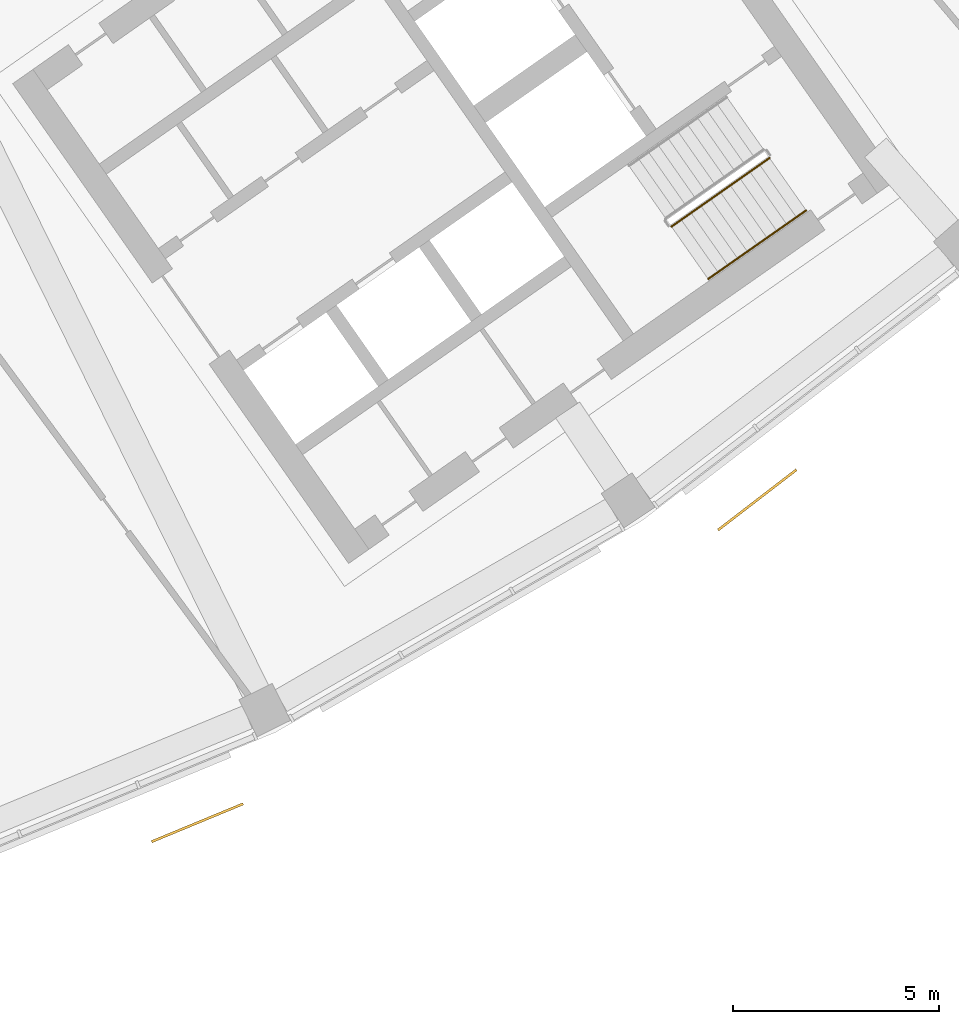
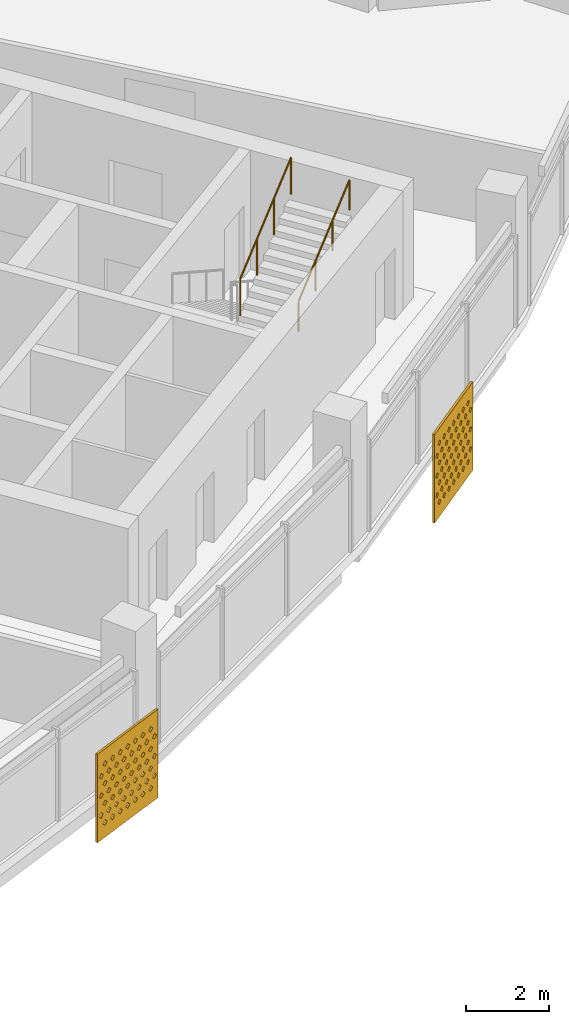
# One storey, part 27 of 28: 2 railings, 2 shading devices.
"""IFC4 building model written with IfcOpenShell, lengths in metres."""

from ifc_helpers import new_model, si_unit, direction, frame, origin, origin_2d, place, context, subcontext, project, spatial, polyline, circle, outline, extrude, material, material_profile, profile_set, type_object, element, save


model = new_model("IFC4")

# Units and contexts
model_context = context("Model", 3, precision=1e-05, world=origin(), true_north=direction((0.0, 1.0)))
body_context = subcontext(model_context, "Body", "Model", "MODEL_VIEW")
ifc_project = project(units=[si_unit("LENGTHUNIT", "METRE"), si_unit("AREAUNIT", "SQUARE_METRE"), si_unit("VOLUMEUNIT", "CUBIC_METRE"), si_unit("PLANEANGLEUNIT", "RADIAN"), si_unit("MASSUNIT", "GRAM", prefix="KILO")], contexts=[model_context])

# Site, building, storey
site_placement = place(None, origin())
site = spatial("IfcSite", under=ifc_project, at=site_placement, CompositionType="ELEMENT")
building_placement = place(site_placement, origin())
building = spatial("IfcBuilding", under=site, at=building_placement, Name="Qamariyya Broadcast Tower", CompositionType="ELEMENT")
storey_placement = place(building_placement, frame((0.0, 0.0, 269.5)))
storey = spatial("IfcBuildingStorey", under=building, at=storey_placement, Name="L65", CompositionType="ELEMENT", Elevation=269.5)

# Shading devices
ifc_material_1 = material(Name="Perforated glazed terracotta", Category="masonry")
ifc_material_profile = material_profile(ifc_material_1, outline(polyline([(-1.199951171875, -1.300048828125), (1.199951171875, -1.300048828125), (1.199951171875, 1.300048828125), (-1.199951171875, 1.300048828125), (-1.199951171875, -1.300048828125)]), holes=[polyline([(-0.81494140625, -0.86669921875), (-0.89990234375, -0.78173828125), (-0.985107421875, -0.86669921875), (-0.89990234375, -0.95166015625), (-0.81494140625, -0.86669921875)]), polyline([(-0.514892578125, -0.86669921875), (-0.60009765625, -0.78173828125), (-0.68505859375, -0.86669921875), (-0.60009765625, -0.95166015625), (-0.514892578125, -0.86669921875)]), polyline([(-0.215087890625, -0.86669921875), (-0.300048828125, -0.78173828125), (-0.385009765625, -0.86669921875), (-0.300048828125, -0.95166015625), (-0.215087890625, -0.86669921875)]), polyline([(0.0849609375, -0.86669921875), (0.0, -0.78173828125), (-0.0849609375, -0.86669921875), (0.0, -0.95166015625), (0.0849609375, -0.86669921875)]), polyline([(0.385009765625, -0.86669921875), (0.300048828125, -0.78173828125), (0.215087890625, -0.86669921875), (0.300048828125, -0.95166015625), (0.385009765625, -0.86669921875)]), polyline([(0.68505859375, -0.86669921875), (0.60009765625, -0.78173828125), (0.514892578125, -0.86669921875), (0.60009765625, -0.95166015625), (0.68505859375, -0.86669921875)]), polyline([(0.985107421875, -0.86669921875), (0.89990234375, -0.78173828125), (0.81494140625, -0.86669921875), (0.89990234375, -0.95166015625), (0.985107421875, -0.86669921875)]), polyline([(-0.965087890625, -0.577880859375), (-1.050048828125, -0.49267578125), (-1.135009765625, -0.577880859375), (-1.050048828125, -0.662841796875), (-0.965087890625, -0.577880859375)]), polyline([(-0.6650390625, -0.577880859375), (-0.75, -0.49267578125), (-0.8349609375, -0.577880859375), (-0.75, -0.662841796875), (-0.6650390625, -0.577880859375)]), polyline([(-0.364990234375, -0.577880859375), (-0.449951171875, -0.49267578125), (-0.534912109375, -0.577880859375), (-0.449951171875, -0.662841796875), (-0.364990234375, -0.577880859375)]), polyline([(-0.06494140625, -0.577880859375), (-0.14990234375, -0.49267578125), (-0.235107421875, -0.577880859375), (-0.14990234375, -0.662841796875), (-0.06494140625, -0.577880859375)]), polyline([(0.235107421875, -0.577880859375), (0.14990234375, -0.49267578125), (0.06494140625, -0.577880859375), (0.14990234375, -0.662841796875), (0.235107421875, -0.577880859375)]), polyline([(0.534912109375, -0.577880859375), (0.449951171875, -0.49267578125), (0.364990234375, -0.577880859375), (0.449951171875, -0.662841796875), (0.534912109375, -0.577880859375)]), polyline([(0.8349609375, -0.577880859375), (0.75, -0.49267578125), (0.6650390625, -0.577880859375), (0.75, -0.662841796875), (0.8349609375, -0.577880859375)]), polyline([(1.135009765625, -0.577880859375), (1.050048828125, -0.49267578125), (0.965087890625, -0.577880859375), (1.050048828125, -0.662841796875), (1.135009765625, -0.577880859375)]), polyline([(-0.81494140625, -0.288818359375), (-0.89990234375, -0.203857421875), (-0.985107421875, -0.288818359375), (-0.89990234375, -0.373779296875), (-0.81494140625, -0.288818359375)]), polyline([(-0.514892578125, -0.288818359375), (-0.60009765625, -0.203857421875), (-0.68505859375, -0.288818359375), (-0.60009765625, -0.373779296875), (-0.514892578125, -0.288818359375)]), polyline([(-0.215087890625, -0.288818359375), (-0.300048828125, -0.203857421875), (-0.385009765625, -0.288818359375), (-0.300048828125, -0.373779296875), (-0.215087890625, -0.288818359375)]), polyline([(0.0849609375, -0.288818359375), (0.0, -0.203857421875), (-0.0849609375, -0.288818359375), (0.0, -0.373779296875), (0.0849609375, -0.288818359375)]), polyline([(0.385009765625, -0.288818359375), (0.300048828125, -0.203857421875), (0.215087890625, -0.288818359375), (0.300048828125, -0.373779296875), (0.385009765625, -0.288818359375)]), polyline([(0.68505859375, -0.288818359375), (0.60009765625, -0.203857421875), (0.514892578125, -0.288818359375), (0.60009765625, -0.373779296875), (0.68505859375, -0.288818359375)]), polyline([(0.985107421875, -0.288818359375), (0.89990234375, -0.203857421875), (0.81494140625, -0.288818359375), (0.89990234375, -0.373779296875), (0.985107421875, -0.288818359375)]), polyline([(-0.965087890625, 0.0), (-1.050048828125, 0.0849609375), (-1.135009765625, 0.0), (-1.050048828125, -0.0849609375), (-0.965087890625, 0.0)]), polyline([(-0.6650390625, 0.0), (-0.75, 0.0849609375), (-0.8349609375, 0.0), (-0.75, -0.0849609375), (-0.6650390625, 0.0)]), polyline([(-0.364990234375, 0.0), (-0.449951171875, 0.0849609375), (-0.534912109375, 0.0), (-0.449951171875, -0.0849609375), (-0.364990234375, 0.0)]), polyline([(-0.06494140625, 0.0), (-0.14990234375, 0.0849609375), (-0.235107421875, 0.0), (-0.14990234375, -0.0849609375), (-0.06494140625, 0.0)]), polyline([(0.235107421875, 0.0), (0.14990234375, 0.0849609375), (0.06494140625, 0.0), (0.14990234375, -0.0849609375), (0.235107421875, 0.0)]), polyline([(0.534912109375, 0.0), (0.449951171875, 0.0849609375), (0.364990234375, 0.0), (0.449951171875, -0.0849609375), (0.534912109375, 0.0)]), polyline([(0.8349609375, 0.0), (0.75, 0.0849609375), (0.6650390625, 0.0), (0.75, -0.0849609375), (0.8349609375, 0.0)]), polyline([(1.135009765625, 0.0), (1.050048828125, 0.0849609375), (0.965087890625, 0.0), (1.050048828125, -0.0849609375), (1.135009765625, 0.0)]), polyline([(-0.81494140625, 0.288818359375), (-0.89990234375, 0.373779296875), (-0.985107421875, 0.288818359375), (-0.89990234375, 0.203857421875), (-0.81494140625, 0.288818359375)]), polyline([(-0.514892578125, 0.288818359375), (-0.60009765625, 0.373779296875), (-0.68505859375, 0.288818359375), (-0.60009765625, 0.203857421875), (-0.514892578125, 0.288818359375)]), polyline([(-0.215087890625, 0.288818359375), (-0.300048828125, 0.373779296875), (-0.385009765625, 0.288818359375), (-0.300048828125, 0.203857421875), (-0.215087890625, 0.288818359375)]), polyline([(0.0849609375, 0.288818359375), (0.0, 0.373779296875), (-0.0849609375, 0.288818359375), (0.0, 0.203857421875), (0.0849609375, 0.288818359375)]), polyline([(0.385009765625, 0.288818359375), (0.300048828125, 0.373779296875), (0.215087890625, 0.288818359375), (0.300048828125, 0.203857421875), (0.385009765625, 0.288818359375)]), polyline([(0.68505859375, 0.288818359375), (0.60009765625, 0.373779296875), (0.514892578125, 0.288818359375), (0.60009765625, 0.203857421875), (0.68505859375, 0.288818359375)]), polyline([(0.985107421875, 0.288818359375), (0.89990234375, 0.373779296875), (0.81494140625, 0.288818359375), (0.89990234375, 0.203857421875), (0.985107421875, 0.288818359375)]), polyline([(-0.965087890625, 0.577880859375), (-1.050048828125, 0.662841796875), (-1.135009765625, 0.577880859375), (-1.050048828125, 0.49267578125), (-0.965087890625, 0.577880859375)]), polyline([(-0.6650390625, 0.577880859375), (-0.75, 0.662841796875), (-0.8349609375, 0.577880859375), (-0.75, 0.49267578125), (-0.6650390625, 0.577880859375)]), polyline([(-0.364990234375, 0.577880859375), (-0.449951171875, 0.662841796875), (-0.534912109375, 0.577880859375), (-0.449951171875, 0.49267578125), (-0.364990234375, 0.577880859375)]), polyline([(-0.06494140625, 0.577880859375), (-0.14990234375, 0.662841796875), (-0.235107421875, 0.577880859375), (-0.14990234375, 0.49267578125), (-0.06494140625, 0.577880859375)]), polyline([(0.235107421875, 0.577880859375), (0.14990234375, 0.662841796875), (0.06494140625, 0.577880859375), (0.14990234375, 0.49267578125), (0.235107421875, 0.577880859375)]), polyline([(0.534912109375, 0.577880859375), (0.449951171875, 0.662841796875), (0.364990234375, 0.577880859375), (0.449951171875, 0.49267578125), (0.534912109375, 0.577880859375)]), polyline([(0.8349609375, 0.577880859375), (0.75, 0.662841796875), (0.6650390625, 0.577880859375), (0.75, 0.49267578125), (0.8349609375, 0.577880859375)]), polyline([(1.135009765625, 0.577880859375), (1.050048828125, 0.662841796875), (0.965087890625, 0.577880859375), (1.050048828125, 0.49267578125), (1.135009765625, 0.577880859375)]), polyline([(-0.81494140625, 0.86669921875), (-0.89990234375, 0.95166015625), (-0.985107421875, 0.86669921875), (-0.89990234375, 0.78173828125), (-0.81494140625, 0.86669921875)]), polyline([(-0.514892578125, 0.86669921875), (-0.60009765625, 0.95166015625), (-0.68505859375, 0.86669921875), (-0.60009765625, 0.78173828125), (-0.514892578125, 0.86669921875)]), polyline([(-0.215087890625, 0.86669921875), (-0.300048828125, 0.95166015625), (-0.385009765625, 0.86669921875), (-0.300048828125, 0.78173828125), (-0.215087890625, 0.86669921875)]), polyline([(0.0849609375, 0.86669921875), (0.0, 0.95166015625), (-0.0849609375, 0.86669921875), (0.0, 0.78173828125), (0.0849609375, 0.86669921875)]), polyline([(0.385009765625, 0.86669921875), (0.300048828125, 0.95166015625), (0.215087890625, 0.86669921875), (0.300048828125, 0.78173828125), (0.385009765625, 0.86669921875)]), polyline([(0.68505859375, 0.86669921875), (0.60009765625, 0.95166015625), (0.514892578125, 0.86669921875), (0.60009765625, 0.78173828125), (0.68505859375, 0.86669921875)]), polyline([(0.985107421875, 0.86669921875), (0.89990234375, 0.95166015625), (0.81494140625, 0.86669921875), (0.89990234375, 0.78173828125), (0.985107421875, 0.86669921875)])]))
ifc_profile_set = profile_set([ifc_material_profile], Name="Perforated glazed terracotta")
shading_device_type = type_object("IfcShadingDeviceType", Name="Perforated terracotta screen 2400 x 2600", PredefinedType="USERDEFINED", material=ifc_profile_set)
shading_device_1_placement = place(storey_placement, frame((32.743408203125, -72.435791015625, 1.35009765625), z_axis=(0.382591441855, -0.923917630863, 0.0), x_axis=(0.923917630863, 0.382591441855, 0.0)))
element("IfcShadingDevice", 1, at=shading_device_1_placement, inside=storey, type_object=shading_device_type, Name="e-scr-L65-10-2", ObjectType="SCREEN", PredefinedType="USERDEFINED", context=body_context, shape_type="SweptSolid", body=[
    extrude(outline(polyline([(-1.199951171875, -1.300048828125), (1.199951171875, -1.300048828125), (1.199951171875, 1.300048828125), (-1.199951171875, 1.300048828125), (-1.199951171875, -1.300048828125)]), holes=[polyline([(-0.81494140625, -0.86669921875), (-0.89990234375, -0.78173828125), (-0.985107421875, -0.86669921875), (-0.89990234375, -0.95166015625), (-0.81494140625, -0.86669921875)]), polyline([(-0.514892578125, -0.86669921875), (-0.60009765625, -0.78173828125), (-0.68505859375, -0.86669921875), (-0.60009765625, -0.95166015625), (-0.514892578125, -0.86669921875)]), polyline([(-0.215087890625, -0.86669921875), (-0.300048828125, -0.78173828125), (-0.385009765625, -0.86669921875), (-0.300048828125, -0.95166015625), (-0.215087890625, -0.86669921875)]), polyline([(0.0849609375, -0.86669921875), (0.0, -0.78173828125), (-0.0849609375, -0.86669921875), (0.0, -0.95166015625), (0.0849609375, -0.86669921875)]), polyline([(0.385009765625, -0.86669921875), (0.300048828125, -0.78173828125), (0.215087890625, -0.86669921875), (0.300048828125, -0.95166015625), (0.385009765625, -0.86669921875)]), polyline([(0.68505859375, -0.86669921875), (0.60009765625, -0.78173828125), (0.514892578125, -0.86669921875), (0.60009765625, -0.95166015625), (0.68505859375, -0.86669921875)]), polyline([(0.985107421875, -0.86669921875), (0.89990234375, -0.78173828125), (0.81494140625, -0.86669921875), (0.89990234375, -0.95166015625), (0.985107421875, -0.86669921875)]), polyline([(-0.965087890625, -0.577880859375), (-1.050048828125, -0.49267578125), (-1.135009765625, -0.577880859375), (-1.050048828125, -0.662841796875), (-0.965087890625, -0.577880859375)]), polyline([(-0.6650390625, -0.577880859375), (-0.75, -0.49267578125), (-0.8349609375, -0.577880859375), (-0.75, -0.662841796875), (-0.6650390625, -0.577880859375)]), polyline([(-0.364990234375, -0.577880859375), (-0.449951171875, -0.49267578125), (-0.534912109375, -0.577880859375), (-0.449951171875, -0.662841796875), (-0.364990234375, -0.577880859375)]), polyline([(-0.06494140625, -0.577880859375), (-0.14990234375, -0.49267578125), (-0.235107421875, -0.577880859375), (-0.14990234375, -0.662841796875), (-0.06494140625, -0.577880859375)]), polyline([(0.235107421875, -0.577880859375), (0.14990234375, -0.49267578125), (0.06494140625, -0.577880859375), (0.14990234375, -0.662841796875), (0.235107421875, -0.577880859375)]), polyline([(0.534912109375, -0.577880859375), (0.449951171875, -0.49267578125), (0.364990234375, -0.577880859375), (0.449951171875, -0.662841796875), (0.534912109375, -0.577880859375)]), polyline([(0.8349609375, -0.577880859375), (0.75, -0.49267578125), (0.6650390625, -0.577880859375), (0.75, -0.662841796875), (0.8349609375, -0.577880859375)]), polyline([(1.135009765625, -0.577880859375), (1.050048828125, -0.49267578125), (0.965087890625, -0.577880859375), (1.050048828125, -0.662841796875), (1.135009765625, -0.577880859375)]), polyline([(-0.81494140625, -0.288818359375), (-0.89990234375, -0.203857421875), (-0.985107421875, -0.288818359375), (-0.89990234375, -0.373779296875), (-0.81494140625, -0.288818359375)]), polyline([(-0.514892578125, -0.288818359375), (-0.60009765625, -0.203857421875), (-0.68505859375, -0.288818359375), (-0.60009765625, -0.373779296875), (-0.514892578125, -0.288818359375)]), polyline([(-0.215087890625, -0.288818359375), (-0.300048828125, -0.203857421875), (-0.385009765625, -0.288818359375), (-0.300048828125, -0.373779296875), (-0.215087890625, -0.288818359375)]), polyline([(0.0849609375, -0.288818359375), (0.0, -0.203857421875), (-0.0849609375, -0.288818359375), (0.0, -0.373779296875), (0.0849609375, -0.288818359375)]), polyline([(0.385009765625, -0.288818359375), (0.300048828125, -0.203857421875), (0.215087890625, -0.288818359375), (0.300048828125, -0.373779296875), (0.385009765625, -0.288818359375)]), polyline([(0.68505859375, -0.288818359375), (0.60009765625, -0.203857421875), (0.514892578125, -0.288818359375), (0.60009765625, -0.373779296875), (0.68505859375, -0.288818359375)]), polyline([(0.985107421875, -0.288818359375), (0.89990234375, -0.203857421875), (0.81494140625, -0.288818359375), (0.89990234375, -0.373779296875), (0.985107421875, -0.288818359375)]), polyline([(-0.965087890625, 0.0), (-1.050048828125, 0.0849609375), (-1.135009765625, 0.0), (-1.050048828125, -0.0849609375), (-0.965087890625, 0.0)]), polyline([(-0.6650390625, 0.0), (-0.75, 0.0849609375), (-0.8349609375, 0.0), (-0.75, -0.0849609375), (-0.6650390625, 0.0)]), polyline([(-0.364990234375, 0.0), (-0.449951171875, 0.0849609375), (-0.534912109375, 0.0), (-0.449951171875, -0.0849609375), (-0.364990234375, 0.0)]), polyline([(-0.06494140625, 0.0), (-0.14990234375, 0.0849609375), (-0.235107421875, 0.0), (-0.14990234375, -0.0849609375), (-0.06494140625, 0.0)]), polyline([(0.235107421875, 0.0), (0.14990234375, 0.0849609375), (0.06494140625, 0.0), (0.14990234375, -0.0849609375), (0.235107421875, 0.0)]), polyline([(0.534912109375, 0.0), (0.449951171875, 0.0849609375), (0.364990234375, 0.0), (0.449951171875, -0.0849609375), (0.534912109375, 0.0)]), polyline([(0.8349609375, 0.0), (0.75, 0.0849609375), (0.6650390625, 0.0), (0.75, -0.0849609375), (0.8349609375, 0.0)]), polyline([(1.135009765625, 0.0), (1.050048828125, 0.0849609375), (0.965087890625, 0.0), (1.050048828125, -0.0849609375), (1.135009765625, 0.0)]), polyline([(-0.81494140625, 0.288818359375), (-0.89990234375, 0.373779296875), (-0.985107421875, 0.288818359375), (-0.89990234375, 0.203857421875), (-0.81494140625, 0.288818359375)]), polyline([(-0.514892578125, 0.288818359375), (-0.60009765625, 0.373779296875), (-0.68505859375, 0.288818359375), (-0.60009765625, 0.203857421875), (-0.514892578125, 0.288818359375)]), polyline([(-0.215087890625, 0.288818359375), (-0.300048828125, 0.373779296875), (-0.385009765625, 0.288818359375), (-0.300048828125, 0.203857421875), (-0.215087890625, 0.288818359375)]), polyline([(0.0849609375, 0.288818359375), (0.0, 0.373779296875), (-0.0849609375, 0.288818359375), (0.0, 0.203857421875), (0.0849609375, 0.288818359375)]), polyline([(0.385009765625, 0.288818359375), (0.300048828125, 0.373779296875), (0.215087890625, 0.288818359375), (0.300048828125, 0.203857421875), (0.385009765625, 0.288818359375)]), polyline([(0.68505859375, 0.288818359375), (0.60009765625, 0.373779296875), (0.514892578125, 0.288818359375), (0.60009765625, 0.203857421875), (0.68505859375, 0.288818359375)]), polyline([(0.985107421875, 0.288818359375), (0.89990234375, 0.373779296875), (0.81494140625, 0.288818359375), (0.89990234375, 0.203857421875), (0.985107421875, 0.288818359375)]), polyline([(-0.965087890625, 0.577880859375), (-1.050048828125, 0.662841796875), (-1.135009765625, 0.577880859375), (-1.050048828125, 0.49267578125), (-0.965087890625, 0.577880859375)]), polyline([(-0.6650390625, 0.577880859375), (-0.75, 0.662841796875), (-0.8349609375, 0.577880859375), (-0.75, 0.49267578125), (-0.6650390625, 0.577880859375)]), polyline([(-0.364990234375, 0.577880859375), (-0.449951171875, 0.662841796875), (-0.534912109375, 0.577880859375), (-0.449951171875, 0.49267578125), (-0.364990234375, 0.577880859375)]), polyline([(-0.06494140625, 0.577880859375), (-0.14990234375, 0.662841796875), (-0.235107421875, 0.577880859375), (-0.14990234375, 0.49267578125), (-0.06494140625, 0.577880859375)]), polyline([(0.235107421875, 0.577880859375), (0.14990234375, 0.662841796875), (0.06494140625, 0.577880859375), (0.14990234375, 0.49267578125), (0.235107421875, 0.577880859375)]), polyline([(0.534912109375, 0.577880859375), (0.449951171875, 0.662841796875), (0.364990234375, 0.577880859375), (0.449951171875, 0.49267578125), (0.534912109375, 0.577880859375)]), polyline([(0.8349609375, 0.577880859375), (0.75, 0.662841796875), (0.6650390625, 0.577880859375), (0.75, 0.49267578125), (0.8349609375, 0.577880859375)]), polyline([(1.135009765625, 0.577880859375), (1.050048828125, 0.662841796875), (0.965087890625, 0.577880859375), (1.050048828125, 0.49267578125), (1.135009765625, 0.577880859375)]), polyline([(-0.81494140625, 0.86669921875), (-0.89990234375, 0.95166015625), (-0.985107421875, 0.86669921875), (-0.89990234375, 0.78173828125), (-0.81494140625, 0.86669921875)]), polyline([(-0.514892578125, 0.86669921875), (-0.60009765625, 0.95166015625), (-0.68505859375, 0.86669921875), (-0.60009765625, 0.78173828125), (-0.514892578125, 0.86669921875)]), polyline([(-0.215087890625, 0.86669921875), (-0.300048828125, 0.95166015625), (-0.385009765625, 0.86669921875), (-0.300048828125, 0.78173828125), (-0.215087890625, 0.86669921875)]), polyline([(0.0849609375, 0.86669921875), (0.0, 0.95166015625), (-0.0849609375, 0.86669921875), (0.0, 0.78173828125), (0.0849609375, 0.86669921875)]), polyline([(0.385009765625, 0.86669921875), (0.300048828125, 0.95166015625), (0.215087890625, 0.86669921875), (0.300048828125, 0.78173828125), (0.385009765625, 0.86669921875)]), polyline([(0.68505859375, 0.86669921875), (0.60009765625, 0.95166015625), (0.514892578125, 0.86669921875), (0.60009765625, 0.78173828125), (0.68505859375, 0.86669921875)]), polyline([(0.985107421875, 0.86669921875), (0.89990234375, 0.95166015625), (0.81494140625, 0.86669921875), (0.89990234375, 0.78173828125), (0.985107421875, 0.86669921875)])]), origin(), (0.0, 0.0, 1.0), 0.06005859375),
])
shading_device_2_placement = place(storey_placement, frame((46.31005859375, -64.6123046875, 1.35009765625), z_axis=(0.60971076085, -0.792623989105, 0.0), x_axis=(0.792623989105, 0.60971076085, 0.0)))
element("IfcShadingDevice", 2, at=shading_device_2_placement, inside=storey, type_object=shading_device_type, Name="e-scr-L65-12-0", ObjectType="SCREEN", PredefinedType="USERDEFINED", context=body_context, shape_type="SweptSolid", body=[
    extrude(outline(polyline([(-1.199951171875, -1.300048828125), (1.199951171875, -1.300048828125), (1.199951171875, 1.300048828125), (-1.199951171875, 1.300048828125), (-1.199951171875, -1.300048828125)]), holes=[polyline([(-0.81494140625, -0.86669921875), (-0.89990234375, -0.78173828125), (-0.985107421875, -0.86669921875), (-0.89990234375, -0.95166015625), (-0.81494140625, -0.86669921875)]), polyline([(-0.514892578125, -0.86669921875), (-0.60009765625, -0.78173828125), (-0.68505859375, -0.86669921875), (-0.60009765625, -0.95166015625), (-0.514892578125, -0.86669921875)]), polyline([(-0.215087890625, -0.86669921875), (-0.300048828125, -0.78173828125), (-0.385009765625, -0.86669921875), (-0.300048828125, -0.95166015625), (-0.215087890625, -0.86669921875)]), polyline([(0.0849609375, -0.86669921875), (0.0, -0.78173828125), (-0.0849609375, -0.86669921875), (0.0, -0.95166015625), (0.0849609375, -0.86669921875)]), polyline([(0.385009765625, -0.86669921875), (0.300048828125, -0.78173828125), (0.215087890625, -0.86669921875), (0.300048828125, -0.95166015625), (0.385009765625, -0.86669921875)]), polyline([(0.68505859375, -0.86669921875), (0.60009765625, -0.78173828125), (0.514892578125, -0.86669921875), (0.60009765625, -0.95166015625), (0.68505859375, -0.86669921875)]), polyline([(0.985107421875, -0.86669921875), (0.89990234375, -0.78173828125), (0.81494140625, -0.86669921875), (0.89990234375, -0.95166015625), (0.985107421875, -0.86669921875)]), polyline([(-0.965087890625, -0.577880859375), (-1.050048828125, -0.49267578125), (-1.135009765625, -0.577880859375), (-1.050048828125, -0.662841796875), (-0.965087890625, -0.577880859375)]), polyline([(-0.6650390625, -0.577880859375), (-0.75, -0.49267578125), (-0.8349609375, -0.577880859375), (-0.75, -0.662841796875), (-0.6650390625, -0.577880859375)]), polyline([(-0.364990234375, -0.577880859375), (-0.449951171875, -0.49267578125), (-0.534912109375, -0.577880859375), (-0.449951171875, -0.662841796875), (-0.364990234375, -0.577880859375)]), polyline([(-0.06494140625, -0.577880859375), (-0.14990234375, -0.49267578125), (-0.235107421875, -0.577880859375), (-0.14990234375, -0.662841796875), (-0.06494140625, -0.577880859375)]), polyline([(0.235107421875, -0.577880859375), (0.14990234375, -0.49267578125), (0.06494140625, -0.577880859375), (0.14990234375, -0.662841796875), (0.235107421875, -0.577880859375)]), polyline([(0.534912109375, -0.577880859375), (0.449951171875, -0.49267578125), (0.364990234375, -0.577880859375), (0.449951171875, -0.662841796875), (0.534912109375, -0.577880859375)]), polyline([(0.8349609375, -0.577880859375), (0.75, -0.49267578125), (0.6650390625, -0.577880859375), (0.75, -0.662841796875), (0.8349609375, -0.577880859375)]), polyline([(1.135009765625, -0.577880859375), (1.050048828125, -0.49267578125), (0.965087890625, -0.577880859375), (1.050048828125, -0.662841796875), (1.135009765625, -0.577880859375)]), polyline([(-0.81494140625, -0.288818359375), (-0.89990234375, -0.203857421875), (-0.985107421875, -0.288818359375), (-0.89990234375, -0.373779296875), (-0.81494140625, -0.288818359375)]), polyline([(-0.514892578125, -0.288818359375), (-0.60009765625, -0.203857421875), (-0.68505859375, -0.288818359375), (-0.60009765625, -0.373779296875), (-0.514892578125, -0.288818359375)]), polyline([(-0.215087890625, -0.288818359375), (-0.300048828125, -0.203857421875), (-0.385009765625, -0.288818359375), (-0.300048828125, -0.373779296875), (-0.215087890625, -0.288818359375)]), polyline([(0.0849609375, -0.288818359375), (0.0, -0.203857421875), (-0.0849609375, -0.288818359375), (0.0, -0.373779296875), (0.0849609375, -0.288818359375)]), polyline([(0.385009765625, -0.288818359375), (0.300048828125, -0.203857421875), (0.215087890625, -0.288818359375), (0.300048828125, -0.373779296875), (0.385009765625, -0.288818359375)]), polyline([(0.68505859375, -0.288818359375), (0.60009765625, -0.203857421875), (0.514892578125, -0.288818359375), (0.60009765625, -0.373779296875), (0.68505859375, -0.288818359375)]), polyline([(0.985107421875, -0.288818359375), (0.89990234375, -0.203857421875), (0.81494140625, -0.288818359375), (0.89990234375, -0.373779296875), (0.985107421875, -0.288818359375)]), polyline([(-0.965087890625, 0.0), (-1.050048828125, 0.0849609375), (-1.135009765625, 0.0), (-1.050048828125, -0.0849609375), (-0.965087890625, 0.0)]), polyline([(-0.6650390625, 0.0), (-0.75, 0.0849609375), (-0.8349609375, 0.0), (-0.75, -0.0849609375), (-0.6650390625, 0.0)]), polyline([(-0.364990234375, 0.0), (-0.449951171875, 0.0849609375), (-0.534912109375, 0.0), (-0.449951171875, -0.0849609375), (-0.364990234375, 0.0)]), polyline([(-0.06494140625, 0.0), (-0.14990234375, 0.0849609375), (-0.235107421875, 0.0), (-0.14990234375, -0.0849609375), (-0.06494140625, 0.0)]), polyline([(0.235107421875, 0.0), (0.14990234375, 0.0849609375), (0.06494140625, 0.0), (0.14990234375, -0.0849609375), (0.235107421875, 0.0)]), polyline([(0.534912109375, 0.0), (0.449951171875, 0.0849609375), (0.364990234375, 0.0), (0.449951171875, -0.0849609375), (0.534912109375, 0.0)]), polyline([(0.8349609375, 0.0), (0.75, 0.0849609375), (0.6650390625, 0.0), (0.75, -0.0849609375), (0.8349609375, 0.0)]), polyline([(1.135009765625, 0.0), (1.050048828125, 0.0849609375), (0.965087890625, 0.0), (1.050048828125, -0.0849609375), (1.135009765625, 0.0)]), polyline([(-0.81494140625, 0.288818359375), (-0.89990234375, 0.373779296875), (-0.985107421875, 0.288818359375), (-0.89990234375, 0.203857421875), (-0.81494140625, 0.288818359375)]), polyline([(-0.514892578125, 0.288818359375), (-0.60009765625, 0.373779296875), (-0.68505859375, 0.288818359375), (-0.60009765625, 0.203857421875), (-0.514892578125, 0.288818359375)]), polyline([(-0.215087890625, 0.288818359375), (-0.300048828125, 0.373779296875), (-0.385009765625, 0.288818359375), (-0.300048828125, 0.203857421875), (-0.215087890625, 0.288818359375)]), polyline([(0.0849609375, 0.288818359375), (0.0, 0.373779296875), (-0.0849609375, 0.288818359375), (0.0, 0.203857421875), (0.0849609375, 0.288818359375)]), polyline([(0.385009765625, 0.288818359375), (0.300048828125, 0.373779296875), (0.215087890625, 0.288818359375), (0.300048828125, 0.203857421875), (0.385009765625, 0.288818359375)]), polyline([(0.68505859375, 0.288818359375), (0.60009765625, 0.373779296875), (0.514892578125, 0.288818359375), (0.60009765625, 0.203857421875), (0.68505859375, 0.288818359375)]), polyline([(0.985107421875, 0.288818359375), (0.89990234375, 0.373779296875), (0.81494140625, 0.288818359375), (0.89990234375, 0.203857421875), (0.985107421875, 0.288818359375)]), polyline([(-0.965087890625, 0.577880859375), (-1.050048828125, 0.662841796875), (-1.135009765625, 0.577880859375), (-1.050048828125, 0.49267578125), (-0.965087890625, 0.577880859375)]), polyline([(-0.6650390625, 0.577880859375), (-0.75, 0.662841796875), (-0.8349609375, 0.577880859375), (-0.75, 0.49267578125), (-0.6650390625, 0.577880859375)]), polyline([(-0.364990234375, 0.577880859375), (-0.449951171875, 0.662841796875), (-0.534912109375, 0.577880859375), (-0.449951171875, 0.49267578125), (-0.364990234375, 0.577880859375)]), polyline([(-0.06494140625, 0.577880859375), (-0.14990234375, 0.662841796875), (-0.235107421875, 0.577880859375), (-0.14990234375, 0.49267578125), (-0.06494140625, 0.577880859375)]), polyline([(0.235107421875, 0.577880859375), (0.14990234375, 0.662841796875), (0.06494140625, 0.577880859375), (0.14990234375, 0.49267578125), (0.235107421875, 0.577880859375)]), polyline([(0.534912109375, 0.577880859375), (0.449951171875, 0.662841796875), (0.364990234375, 0.577880859375), (0.449951171875, 0.49267578125), (0.534912109375, 0.577880859375)]), polyline([(0.8349609375, 0.577880859375), (0.75, 0.662841796875), (0.6650390625, 0.577880859375), (0.75, 0.49267578125), (0.8349609375, 0.577880859375)]), polyline([(1.135009765625, 0.577880859375), (1.050048828125, 0.662841796875), (0.965087890625, 0.577880859375), (1.050048828125, 0.49267578125), (1.135009765625, 0.577880859375)]), polyline([(-0.81494140625, 0.86669921875), (-0.89990234375, 0.95166015625), (-0.985107421875, 0.86669921875), (-0.89990234375, 0.78173828125), (-0.81494140625, 0.86669921875)]), polyline([(-0.514892578125, 0.86669921875), (-0.60009765625, 0.95166015625), (-0.68505859375, 0.86669921875), (-0.60009765625, 0.78173828125), (-0.514892578125, 0.86669921875)]), polyline([(-0.215087890625, 0.86669921875), (-0.300048828125, 0.95166015625), (-0.385009765625, 0.86669921875), (-0.300048828125, 0.78173828125), (-0.215087890625, 0.86669921875)]), polyline([(0.0849609375, 0.86669921875), (0.0, 0.95166015625), (-0.0849609375, 0.86669921875), (0.0, 0.78173828125), (0.0849609375, 0.86669921875)]), polyline([(0.385009765625, 0.86669921875), (0.300048828125, 0.95166015625), (0.215087890625, 0.86669921875), (0.300048828125, 0.78173828125), (0.385009765625, 0.86669921875)]), polyline([(0.68505859375, 0.86669921875), (0.60009765625, 0.95166015625), (0.514892578125, 0.86669921875), (0.60009765625, 0.78173828125), (0.68505859375, 0.86669921875)]), polyline([(0.985107421875, 0.86669921875), (0.89990234375, 0.95166015625), (0.81494140625, 0.86669921875), (0.89990234375, 0.78173828125), (0.985107421875, 0.86669921875)])]), origin(), (0.0, 0.0, 1.0), 0.06005859375),
])

# Railings
ifc_material_2 = material(Name="Painted steel", Category="steel")
railing_type_1 = type_object("IfcRailingType", Name="Stair guard", PredefinedType="GUARDRAIL", material=ifc_material_2)
railing_1_placement = place(storey_placement, frame((44.248779296875, -58.01123046875, 2.07275390625)))
element("IfcRailing", 3, at=railing_1_placement, inside=storey, type_object=railing_type_1, Name="L65 ST-E1 stair guard 2", PredefinedType="GUARDRAIL", context=body_context, shape_type="SweptSolid", body=[
    extrude(circle(Radius=0.02392578125, at=origin_2d()), frame((0.0, 0.0, 1.076171875), z_axis=(0.703745009021, 0.492838488332, 0.511715923826), x_axis=(-0.573631830683, 0.819113253969, 0.0)), (0.0, 0.0, 1.0), 3.37548828125),
    extrude(circle(Radius=0.02099609375, at=origin_2d()), origin(), (0.0, 0.0, 1.0), 1.052001953125),
    extrude(circle(Radius=0.02099609375, at=origin_2d()), frame((0.791748046875, 0.554443359375, 0.57568359375)), (0.0, 0.0, 1.0), 1.052001953125),
    extrude(circle(Radius=0.02099609375, at=origin_2d()), frame((1.583740234375, 1.109130859375, 1.151611328125)), (0.0, 0.0, 1.0), 1.052001953125),
    extrude(circle(Radius=0.02099609375, at=origin_2d()), frame((2.37548828125, 1.66357421875, 1.727294921875)), (0.0, 0.0, 1.0), 1.052001953125),
])
ifc_material_3 = material(Name="Stainless steel", Category="steel")
railing_type_2 = type_object("IfcRailingType", Name="Stair handrail", PredefinedType="HANDRAIL", material=ifc_material_3)
railing_2_placement = place(storey_placement, frame((45.137939453125, -59.28076171875, 2.07275390625)))
element("IfcRailing", 4, at=railing_2_placement, inside=storey, type_object=railing_type_2, Name="L65 ST-E1 stair handrail 2", PredefinedType="HANDRAIL", context=body_context, shape_type="SweptSolid", body=[
    extrude(circle(Radius=0.02392578125, at=origin_2d()), frame((0.0, 0.0, 0.8759765625), z_axis=(0.703770094002, 0.492783725636, 0.511734163933), x_axis=(-0.573575343427, 0.819152809562, 0.0)), (0.0, 0.0, 1.0), 3.37548828125),
    extrude(circle(Radius=0.02099609375, at=origin_2d()), origin(), (0.0, 0.0, 1.0), 0.851806640625),
    extrude(circle(Radius=0.02099609375, at=origin_2d()), frame((0.791748046875, 0.554443359375, 0.57568359375)), (0.0, 0.0, 1.0), 0.851806640625),
    extrude(circle(Radius=0.02099609375, at=origin_2d()), frame((1.583740234375, 1.10888671875, 1.151611328125)), (0.0, 0.0, 1.0), 0.851806640625),
    extrude(circle(Radius=0.02099609375, at=origin_2d()), frame((2.37548828125, 1.663330078125, 1.727294921875)), (0.0, 0.0, 1.0), 0.851806640625),
])

save(model, "model.ifc")
